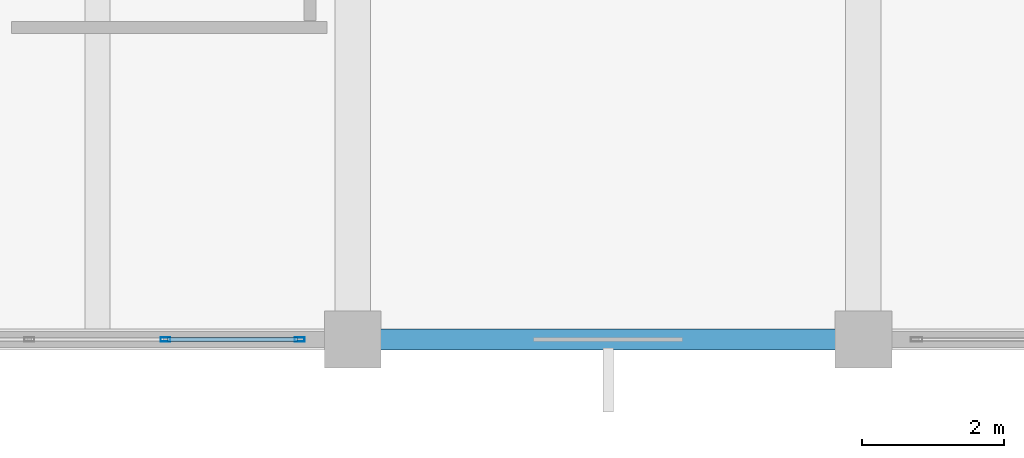
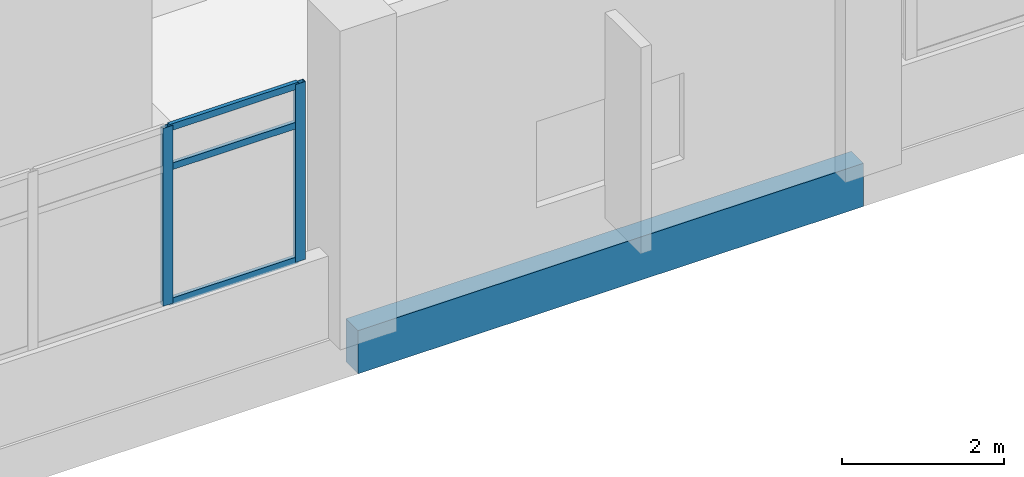
# One storey, part 36 of 140: 5 members, 1 beam, 1 element without a shape of its own.
"""IFC4 building model written with IfcOpenShell, lengths in metres."""

from ifc_helpers import new_model, si_unit, direction, frame, origin, origin_2d, place, context, subcontext, project, spatial, rectangle, hollow_rectangle, extrude, material, layer, layer_set, material_profile, profile_set, type_object, element, aggregate, save


model = new_model("IFC4")

# Units and contexts
model_context = context("Model", 3, precision=1e-05, world=origin(), true_north=direction((0.0, 1.0)))
body_context = subcontext(model_context, "Body", "Model", "MODEL_VIEW")
ifc_project = project(units=[si_unit("LENGTHUNIT", "METRE"), si_unit("AREAUNIT", "SQUARE_METRE"), si_unit("VOLUMEUNIT", "CUBIC_METRE"), si_unit("PLANEANGLEUNIT", "RADIAN"), si_unit("MASSUNIT", "GRAM", prefix="KILO")], contexts=[model_context])

# Site, building, storey
site_placement = place(None, origin())
site = spatial("IfcSite", under=ifc_project, at=site_placement, CompositionType="ELEMENT")
building_placement = place(site_placement, origin())
building = spatial("IfcBuilding", under=site, at=building_placement, Name="Seraya Terrace Polytechnic", CompositionType="ELEMENT")
storey_placement = place(building_placement, frame((0.0, 0.0, 9.60009765625)))
storey = spatial("IfcBuildingStorey", under=building, at=storey_placement, Name="L02", CompositionType="ELEMENT", Elevation=9.60009765625)

# Curtain wall, members
ifc_material_1 = material(Name="Anodised aluminium EN AW-6063 T6", Category="aluminium")
ifc_layer = layer(ifc_material_1, 0.179931640625, Name="CW-36")
ifc_layer_set = layer_set([ifc_layer], Name="Anodised aluminium EN AW-6063 T6")
curtain_wall_type = type_object("IfcCurtainWallType", Name="CW-36", PredefinedType="NOTDEFINED", material=ifc_layer_set)
curtain_wall_placement = place(storey_placement, origin())
curtain_wall = element("IfcCurtainWall", 1, at=curtain_wall_placement, inside=storey, type_object=curtain_wall_type, Name="Unitised curtain wall CW-36 (CW-L02-072)", PredefinedType="NOTDEFINED")
ifc_material_profile_1 = material_profile(ifc_material_1, hollow_rectangle(XDim=0.06005859375, YDim=0.139892578125, WallThickness=0.00341796875, at=origin_2d()), Name="RHS 140x60x3.5")
ifc_profile_set_1 = profile_set([ifc_material_profile_1], Name="Anodised aluminium EN AW-6063 T6")
member_type_1 = type_object("IfcMemberType", Name="CWM-03", PredefinedType="MULLION", material=ifc_profile_set_1)
member_1_placement = place(storey_placement, frame((114.449951171875, 0.0, 1.239990234375), z_axis=(0.0, 0.0, 1.0), x_axis=(0.0, -1.0, 0.0)))
member_1 = element("IfcMember", 2, at=member_1_placement, type_object=member_type_1, Name="CW-36 mullion 1", PredefinedType="MULLION", context=body_context, shape_type="SweptSolid", body=[
    extrude(hollow_rectangle(XDim=0.06005859375, YDim=0.139892578125, WallThickness=0.00341796875, at=origin_2d()), origin(), (0.0, 0.0, 1.0), 2.679931640625),
])
member_2_placement = place(storey_placement, frame((112.56005859375, 0.0, 1.239990234375), z_axis=(0.0, 0.0, 1.0), x_axis=(0.0, -1.0, 0.0)))
member_2 = element("IfcMember", 3, at=member_2_placement, type_object=member_type_1, Name="CW-36 mullion 2", PredefinedType="MULLION", context=body_context, shape_type="SweptSolid", body=[
    extrude(hollow_rectangle(XDim=0.06005859375, YDim=0.139892578125, WallThickness=0.00341796875, at=origin_2d()), origin(), (0.0, 0.0, 1.0), 2.679931640625),
])
ifc_material_profile_2 = material_profile(ifc_material_1, hollow_rectangle(XDim=0.054931640625, YDim=0.10009765625, WallThickness=0.0029296875, at=origin_2d()), Name="RHS 100x55x3.0")
ifc_profile_set_2 = profile_set([ifc_material_profile_2], Name="Anodised aluminium EN AW-6063 T6")
member_type_2 = type_object("IfcMemberType", Name="CWT-03", PredefinedType="USERDEFINED", material=ifc_profile_set_2)
member_3_placement = place(storey_placement, frame((114.419921875, 0.0, 1.267333984375), z_axis=(-1.0, 0.0, 0.0), x_axis=(0.0, -1.0, 0.0)))
member_3 = element("IfcMember", 4, at=member_3_placement, type_object=member_type_2, Name="CW-36 transom 1.1", ObjectType="TRANSOM", PredefinedType="USERDEFINED", context=body_context, shape_type="SweptSolid", body=[
    extrude(hollow_rectangle(XDim=0.054931640625, YDim=0.10009765625, WallThickness=0.0029296875, at=origin_2d()), origin(), (0.0, 0.0, 1.0), 1.829833984375),
])
member_4_placement = place(storey_placement, frame((114.419921875, 0.0, 3.2998046875), z_axis=(-1.0, 0.0, 0.0), x_axis=(0.0, -1.0, 0.0)))
member_4 = element("IfcMember", 5, at=member_4_placement, type_object=member_type_2, Name="CW-36 transom 1.2", ObjectType="TRANSOM", PredefinedType="USERDEFINED", context=body_context, shape_type="SweptSolid", body=[
    extrude(hollow_rectangle(XDim=0.054931640625, YDim=0.10009765625, WallThickness=0.0029296875, at=origin_2d()), origin(), (0.0, 0.0, 1.0), 1.829833984375),
])
member_5_placement = place(storey_placement, frame((114.419921875, 0.0, 3.892333984375), z_axis=(-1.0, 0.0, 0.0), x_axis=(0.0, -1.0, 0.0)))
member_5 = element("IfcMember", 6, at=member_5_placement, type_object=member_type_2, Name="CW-36 transom 1.3", ObjectType="TRANSOM", PredefinedType="USERDEFINED", context=body_context, shape_type="SweptSolid", body=[
    extrude(hollow_rectangle(XDim=0.054931640625, YDim=0.10009765625, WallThickness=0.0029296875, at=origin_2d()), origin(), (0.0, 0.0, 1.0), 1.829833984375),
])
aggregate(curtain_wall, [member_1, member_2, member_3, member_4, member_5])

# Beam
ifc_material_2 = material(Name="Concrete C40/50", Category="concrete")
ifc_material_profile_3 = material_profile(ifc_material_2, rectangle(XDim=0.300048828125, YDim=0.64990234375, at=origin_2d()), Name="RC 300x650")
ifc_profile_set_3 = profile_set([ifc_material_profile_3], Name="Concrete C40/50")
beam_type = type_object("IfcBeamType", Name="SP-01", PredefinedType="SPANDREL", material=ifc_profile_set_3)
beam_placement = place(storey_placement, frame((115.199951171875, 0.0, -0.3251953125), z_axis=(1.0, 0.0, 0.0), x_axis=(0.0, 1.0, 0.0)))
element("IfcBeam", 7, at=beam_placement, inside=storey, type_object=beam_type, Name="Beam SP-01 L02 X (115.2..122.4, 0.0)", PredefinedType="SPANDREL", context=body_context, shape_type="SweptSolid", body=[
    extrude(rectangle(XDim=0.300048828125, YDim=0.64990234375, at=origin_2d()), origin(), (0.0, 0.0, 1.0), 7.199951171875),
])

save(model, "model.ifc")
